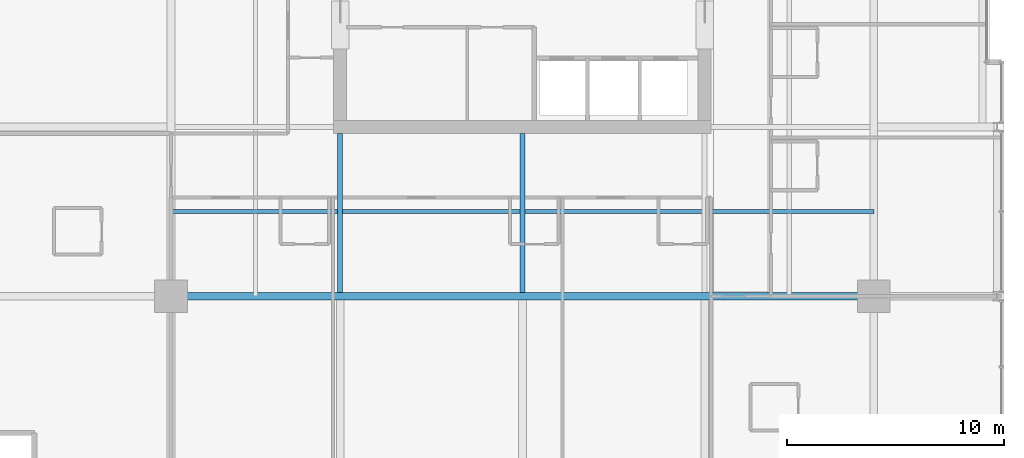
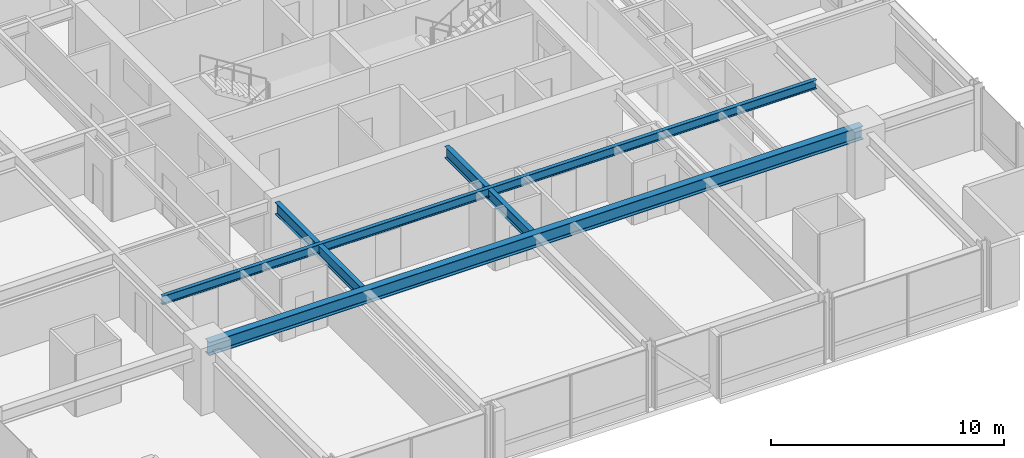
# One storey, part 6 of 35: 4 beams.
"""IFC4 building model written with IfcOpenShell, lengths in metres."""

import ifcopenshell
import ifcopenshell.guid

model = None  # the IFC model being written
_history = None  # IfcOwnerHistory: only IFC2X3 demands one
_inside = {}  # id of a spatial element -> (the spatial element, [elements in it])
_under = {}  # id of a project, library or spatial element -> (it, [spatial elements below it])
_declared = {}  # id of a project -> (the project, [libraries it declares])
_typed = {}  # id of a type object -> (the type object, [elements of that type])
_made_of = {}  # id of a material, layer set ... -> (it, [elements and type objects made of it])


def new_model(schema):
    """Start an empty IFC model of exactly this schema.

    Asked for "IFC4X3", IfcOpenShell would pick the latest addendum, in which some entities
    have other attributes; the version numbers below select the first issue.
    IFC2X3 requires an IfcOwnerHistory on every rooted entity: one is made here for all.
    """
    global model, _history
    if schema == "IFC4X3":
        model = ifcopenshell.file(schema_version=(4, 3, 0, 0))
    else:
        model = ifcopenshell.file(schema=schema)
    _inside.clear()
    _under.clear()
    _declared.clear()
    _typed.clear()
    _made_of.clear()
    _history = None
    if model.schema == "IFC2X3":
        org = make("IfcOrganization", Name="unknown")
        user = make(
            "IfcPersonAndOrganization",
            ThePerson=make("IfcPerson", FamilyName="unknown"),
            TheOrganization=org,
        )
        app = make(
            "IfcApplication",
            ApplicationDeveloper=org,
            Version="unknown",
            ApplicationFullName="unknown",
            ApplicationIdentifier="unknown",
        )
        _history = make(
            "IfcOwnerHistory",
            OwningUser=user,
            OwningApplication=app,
            ChangeAction="ADDED",
            CreationDate=0,
        )
    return model


def make(cls, **values):
    """One entity of the class cls with the attributes given. An attribute that is None is left unset."""
    return model.create_entity(
        cls, **{name: value for name, value in values.items() if value is not None}
    )


def rooted(cls, **values):
    """An entity with a GlobalId (a new one), such as an element, a storey or a relation."""
    return make(cls, GlobalId=ifcopenshell.guid.new(), OwnerHistory=_history, **values)


def si_unit(unit_type, name, prefix=None):
    """IfcSIUnit, for example si_unit("LENGTHUNIT", "METRE", prefix="MILLI")."""
    return make("IfcSIUnit", UnitType=unit_type, Prefix=prefix, Name=name)


def assignment(units):
    """IfcUnitAssignment: the units of a project."""
    return None if units is None else make("IfcUnitAssignment", Units=units)


def point(xyz):
    """IfcCartesianPoint."""
    return None if xyz is None else make("IfcCartesianPoint", Coordinates=xyz)


def direction(xyz):
    """IfcDirection."""
    return None if xyz is None else make("IfcDirection", DirectionRatios=xyz)


def frame(location, z_axis=None, x_axis=None):
    """IfcAxis2Placement3D, a coordinate frame: its origin and axes. An axis left out is left unset."""
    return make(
        "IfcAxis2Placement3D",
        Location=point(location),
        Axis=direction(z_axis),
        RefDirection=direction(x_axis),
    )


def frame_2d(location, x_axis=None):
    """IfcAxis2Placement2D, a coordinate frame in the plane: its origin and x axis."""
    return make(
        "IfcAxis2Placement2D", Location=point(location), RefDirection=direction(x_axis)
    )


def origin():
    """The frame at (0, 0, 0) with its axes left unset."""
    return frame((0.0, 0.0, 0.0))


def origin_2d():
    """The frame at (0, 0) in the plane with its x axis left unset."""
    return frame_2d((0.0, 0.0))


def place(relative_to, where):
    """IfcLocalPlacement: puts the frame where relative to a parent placement (None: the world)."""
    return make(
        "IfcLocalPlacement", PlacementRelTo=relative_to, RelativePlacement=where
    )


def context(
    kind, dimensions, precision=None, world=None, true_north=None, identifier=None
):
    """IfcGeometricRepresentationContext, for example the 3D "Model" context."""
    return make(
        "IfcGeometricRepresentationContext",
        ContextIdentifier=identifier,
        ContextType=kind,
        CoordinateSpaceDimension=dimensions,
        Precision=precision,
        WorldCoordinateSystem=world,
        TrueNorth=true_north,
    )


def subcontext(parent, identifier, kind, view, scale=None):
    """IfcGeometricRepresentationSubContext, for example "Body" below "Model"."""
    return make(
        "IfcGeometricRepresentationSubContext",
        ContextIdentifier=identifier,
        ContextType=kind,
        ParentContext=parent,
        TargetScale=scale,
        TargetView=view,
    )


def project(units=None, contexts=None):
    """IfcProject with its units and contexts."""
    return rooted(
        "IfcProject",
        Name="project",
        RepresentationContexts=contexts,
        UnitsInContext=assignment(units),
    )


def spatial(cls, under=None, at=None, **own):
    """A site, building, storey or space (cls), placed at a placement, below another one or the project."""
    s = rooted(cls, ObjectPlacement=at, **own)
    if under is not None:
        _under.setdefault(under.id(), (under, []))[1].append(s)
    return s


def profile(cls, at=None, kind="AREA", **sizes):
    """A parametric profile (cls). Its sizes go by their IFC names, for example OverallWidth=200.0."""
    return make(cls, ProfileType=kind, Position=at, **sizes)


def i_section(**sizes):
    """IfcIShapeProfileDef."""
    return profile("IfcIShapeProfileDef", **sizes)


def extrude(swept, where, along, depth):
    """IfcExtrudedAreaSolid: the profile swept, set in the frame where, extruded along a direction by depth."""
    return make(
        "IfcExtrudedAreaSolid",
        SweptArea=swept,
        Position=where,
        ExtrudedDirection=direction(along),
        Depth=depth,
    )


def shape(context_of_items, identifier, shape_type, items):
    """IfcShapeRepresentation: the items that make up one representation, for example the "Body"."""
    return make(
        "IfcShapeRepresentation",
        ContextOfItems=context_of_items,
        RepresentationIdentifier=identifier,
        RepresentationType=shape_type,
        Items=items,
    )


def material(Name=None, Category=None):
    """IfcMaterial."""
    return make("IfcMaterial", Name=Name, Category=Category)


def material_profile(
    of_material, cross_section, Name=None, Category=None, Priority=None
):
    """IfcMaterialProfile: a cross section and its material."""
    return make(
        "IfcMaterialProfile",
        Name=Name,
        Material=of_material,
        Profile=cross_section,
        Priority=Priority,
        Category=Category,
    )


def profile_set(profiles, Name=None, composite=None):
    """IfcMaterialProfileSet."""
    return make(
        "IfcMaterialProfileSet",
        Name=Name,
        MaterialProfiles=profiles,
        CompositeProfile=composite,
    )


def made_of(thing, what):
    """Note that an element or type object is made of a material, layer set ...; save() writes the relation."""
    if what is not None:
        _made_of.setdefault(what.id(), (what, []))[1].append(thing)
    return thing


def type_object(cls, material=None, **own):
    """A type object (cls), such as IfcWallType, which elements share."""
    return made_of(rooted(cls, **own), material)


def element(
    cls,
    number,
    at=None,
    inside=None,
    cuts=None,
    type_object=None,
    material=None,
    context=None,
    identifier="Body",
    shape_type=None,
    held_by="IfcProductDefinitionShape",
    body=None,
    shapes=None,
    **own,
):
    """One element of the class cls, such as IfcWall. Its Tag is "e" and its number.

    at: its placement. inside: the storey or other place that contains it. cuts: it is an
    opening in that element (IfcRelVoidsElement). A single representation is given by context,
    identifier, shape_type and body (its items); several are given by shapes. held_by: the class
    of the entity that holds the representations. save() writes the other relations.
    """
    e = rooted(cls, Tag="e%d" % number, ObjectPlacement=at, **own)
    if body is not None:
        shapes = [shape(context, identifier, shape_type, body)]
    if shapes is not None:
        e.Representation = make(held_by, Representations=shapes)
    if inside is not None:
        _inside.setdefault(inside.id(), (inside, []))[1].append(e)
    if cuts is not None:
        rooted(
            "IfcRelVoidsElement", RelatingBuildingElement=cuts, RelatedOpeningElement=e
        )
    if type_object is not None:
        _typed.setdefault(type_object.id(), (type_object, []))[1].append(e)
    return made_of(e, material)


def aggregate(whole, parts):
    """IfcRelAggregates: a whole, such as a stair, and the parts it consists of."""
    return rooted("IfcRelAggregates", RelatingObject=whole, RelatedObjects=parts)


def save(model, path):
    """Write the relations noted so far, then the file.

    IfcRelAggregates (storeys below a building ...), IfcRelContainedInSpatialStructure (elements
    in a storey), IfcRelDefinesByType, IfcRelAssociatesMaterial and IfcRelDeclares: one each for
    every whole, place, type object, material and project.
    """
    for whole, parts in _under.values():
        aggregate(whole, parts)
    for where, things in _inside.values():
        rooted(
            "IfcRelContainedInSpatialStructure",
            RelatedElements=things,
            RelatingStructure=where,
        )
    for kind, things in _typed.values():
        rooted("IfcRelDefinesByType", RelatedObjects=things, RelatingType=kind)
    for what, things in _made_of.values():
        rooted("IfcRelAssociatesMaterial", RelatedObjects=things, RelatingMaterial=what)
    for by, libraries in _declared.values():
        rooted("IfcRelDeclares", RelatingContext=by, RelatedDefinitions=libraries)
    model.write(path)


model = new_model("IFC4")

# Units and contexts
model_context = context("Model", 3, precision=1e-05, world=origin(), true_north=direction((0.0, 1.0)))
body_context = subcontext(model_context, "Body", "Model", "MODEL_VIEW")
ifc_project = project(units=[si_unit("LENGTHUNIT", "METRE"), si_unit("AREAUNIT", "SQUARE_METRE"), si_unit("VOLUMEUNIT", "CUBIC_METRE"), si_unit("PLANEANGLEUNIT", "RADIAN"), si_unit("MASSUNIT", "GRAM", prefix="KILO")], contexts=[model_context])

# Site, building, storey
site_placement = place(None, origin())
site = spatial("IfcSite", under=ifc_project, at=site_placement, CompositionType="ELEMENT")
building_placement = place(site_placement, origin())
building = spatial("IfcBuilding", under=site, at=building_placement, Name="Drelvath Grand Hotel", CompositionType="ELEMENT")
storey_placement = place(building_placement, frame((0.0, 0.0, 130.300048828125)))
storey = spatial("IfcBuildingStorey", under=building, at=storey_placement, Name="L33", CompositionType="ELEMENT", Elevation=130.300048828125)

# Beams
ifc_material = material(Name="Steel ASTM A992 Gr 50", Category="steel")
ifc_material_profile_1 = material_profile(ifc_material, i_section(OverallWidth=0.19140625, OverallDepth=0.4599609375, WebThickness=0.010009765625, FlangeThickness=0.01611328125, FilletRadius=0.01611328125, at=origin_2d()), Name="W18X55")
ifc_profile_set_1 = profile_set([ifc_material_profile_1], Name="Steel ASTM A992 Gr 50")
beam_type_1 = type_object("IfcBeamType", Name="Composite Floor Joist W18X55", PredefinedType="JOIST", material=ifc_profile_set_1)
beam_1_placement = place(storey_placement, frame((-16.199951171875, 14.699951171875, 3.010009765625), z_axis=(1.0, 0.0, 0.0), x_axis=(0.0, 1.0, 0.0)))
element("IfcBeam", 1, at=beam_1_placement, inside=storey, type_object=beam_type_1, Name="L33 Floor Joist J1", PredefinedType="JOIST", context=body_context, shape_type="SweptSolid", body=[
    extrude(i_section(OverallWidth=0.19140625, OverallDepth=0.4599609375, WebThickness=0.010009765625, FlangeThickness=0.01611328125, FilletRadius=0.01611328125, at=origin_2d()), origin(), (0.0, 0.0, 1.0), 32.39990234375),
])
ifc_material_profile_2 = material_profile(ifc_material, i_section(OverallWidth=0.228271484375, OverallDepth=0.607666015625, WebThickness=0.01123046875, FlangeThickness=0.017333984375, FilletRadius=0.02001953125, at=origin_2d()), Name="W24X76")
ifc_profile_set_2 = profile_set([ifc_material_profile_2], Name="Steel ASTM A992 Gr 50")
beam_type_2 = type_object("IfcBeamType", Name="Primary Floor Girder W24X76", PredefinedType="BEAM", material=ifc_profile_set_2)
for number, where, z_axis, x_axis, name in (
    (2, (-8.39990234375, 10.977294921875, 2.93603515625), (0.0, 1.0, 0.0), (-1.0, 0.0, 0.0), "L33 South Core Tie 4"),
    (3, (0.0, 10.977294921875, 2.93603515625), (0.0, 1.0, 0.0), (-1.0, 0.0, 0.0), "L33 South Core Tie 5"),
):
    element("IfcBeam", number, at=place(storey_placement, frame(where, z_axis=z_axis, x_axis=x_axis)), inside=storey, type_object=beam_type_2, Name=name, PredefinedType="BEAM", context=body_context, shape_type="SweptSolid", body=[
        extrude(i_section(OverallWidth=0.228271484375, OverallDepth=0.607666015625, WebThickness=0.01123046875, FlangeThickness=0.017333984375, FilletRadius=0.02001953125, at=origin_2d()), origin(), (0.0, 0.0, 1.0), 7.32275390625),
    ])
ifc_material_profile_3 = material_profile(ifc_material, i_section(OverallWidth=0.354736328125, OverallDepth=0.695556640625, WebThickness=0.015380859375, FlangeThickness=0.025146484375, FilletRadius=0.02392578125, at=origin_2d()), Name="W27X146")
ifc_profile_set_3 = profile_set([ifc_material_profile_3], Name="Steel ASTM A992 Gr 50")
beam_type_3 = type_object("IfcBeamType", Name="Primary Floor Girder W27X146", PredefinedType="BEAM", material=ifc_profile_set_3)
beam_2_placement = place(storey_placement, frame((-16.199951171875, 10.800048828125, 2.892333984375), z_axis=(1.0, 0.0, 0.0), x_axis=(0.0, 1.0, 0.0)))
element("IfcBeam", 4, at=beam_2_placement, inside=storey, type_object=beam_type_3, Name="L33 Mega Ring Girder South", PredefinedType="BEAM", context=body_context, shape_type="SweptSolid", body=[
    extrude(i_section(OverallWidth=0.354736328125, OverallDepth=0.695556640625, WebThickness=0.015380859375, FlangeThickness=0.025146484375, FilletRadius=0.02392578125, at=origin_2d()), origin(), (0.0, 0.0, 1.0), 32.39990234375),
])

save(model, "model.ifc")
